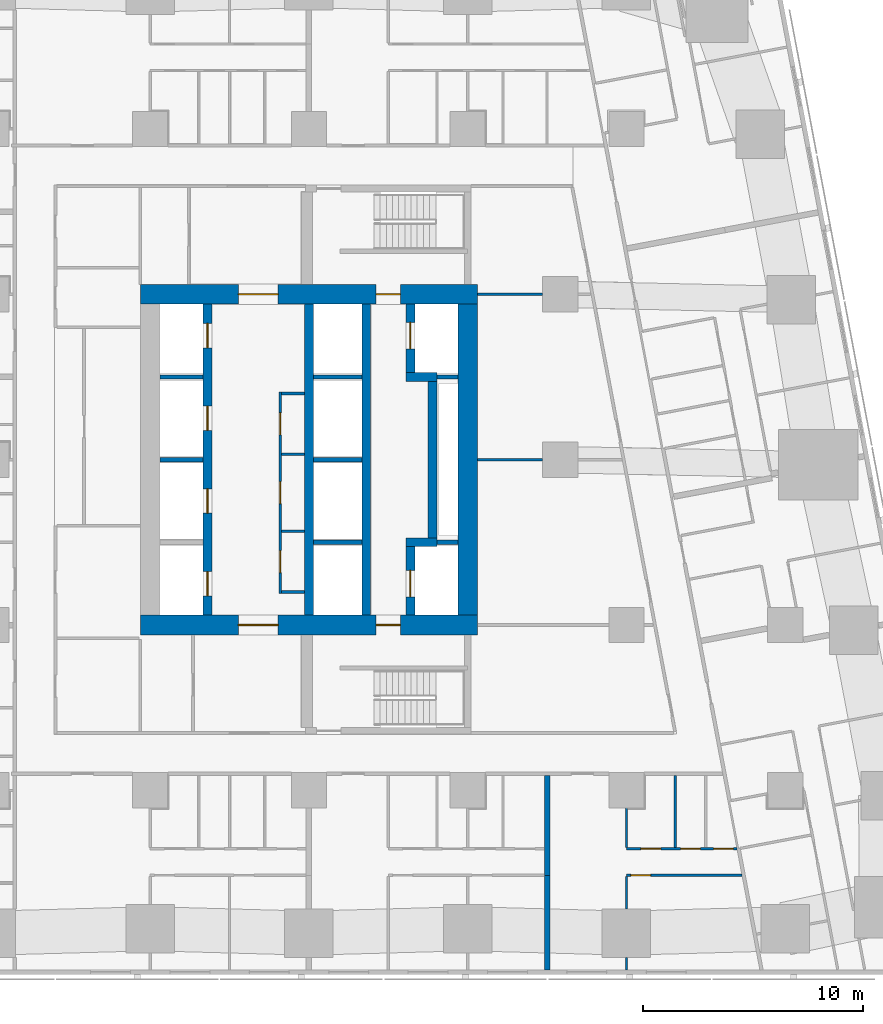
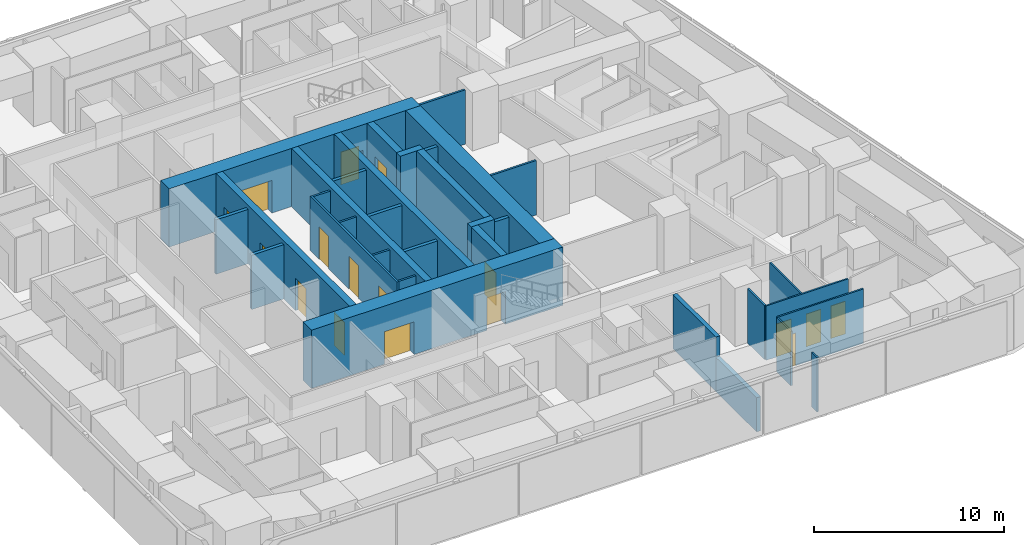
# One storey, part 5 of 15: 33 walls, 17 doors, 17 openings.
"""IFC4 building model written with IfcOpenShell, lengths in metres."""

from ifc_helpers import new_model, si_unit, direction, frame, frame_2d, origin, place, context, subcontext, project, spatial, rectangle, extrude, material, layer, layer_set, type_object, element, fill, save


model = new_model("IFC4")

# Units and contexts
model_context = context("Model", 3, precision=1e-05, world=origin(), true_north=direction((0.0, 1.0)))
body_context = subcontext(model_context, "Body", "Model", "MODEL_VIEW")
ifc_project = project(units=[si_unit("LENGTHUNIT", "METRE"), si_unit("AREAUNIT", "SQUARE_METRE"), si_unit("VOLUMEUNIT", "CUBIC_METRE"), si_unit("PLANEANGLEUNIT", "RADIAN"), si_unit("MASSUNIT", "GRAM", prefix="KILO")], contexts=[model_context])

# Site, building, storey
site_placement = place(None, origin())
site = spatial("IfcSite", under=ifc_project, at=site_placement, CompositionType="ELEMENT")
building_placement = place(site_placement, origin())
building = spatial("IfcBuilding", under=site, at=building_placement, Name="Sheger Commons Tower", CompositionType="ELEMENT")
storey_placement = place(building_placement, frame((0.0, 0.0, 107.89990234375)))
storey = spatial("IfcBuildingStorey", under=building, at=storey_placement, Name="L27", CompositionType="ELEMENT", Elevation=107.89990234375)

# Wall, openings, doors
ifc_material_1 = material(Name="Concrete C50/60", Category="concrete")
ifc_layer_1 = layer(ifc_material_1, 0.39990234375)
ifc_layer_set_1 = layer_set([ifc_layer_1], Name="CORE INNER WALL 400")
wall_type_1 = type_object("IfcWallType", Name="CORE INNER WALL 400", PredefinedType="SHEAR", material=ifc_layer_set_1)
wall_1_placement = place(storey_placement, frame((17.0, 15.449951171875, 0.0), z_axis=(0.0, 0.0, 1.0), x_axis=(0.0, 1.0, 0.0)))
wall_1 = element("IfcWall", 1, at=wall_1_placement, inside=storey, type_object=wall_type_1, Name="Core inner wall A L27", PredefinedType="SHEAR", context=body_context, shape_type="SweptSolid", body=[
    extrude(rectangle(XDim=14.10009765625, YDim=0.39990234375, at=frame_2d((7.050048828125, 0.0))), origin(), (0.0, 0.0, 1.0), 3.75),
])
opening_1_placement = place(wall_1_placement, frame((0.875, 0.0, 0.0)))
opening_1 = element("IfcOpeningElement", 2, at=opening_1_placement, cuts=wall_1, Name="Opening LD", PredefinedType="OPENING", context=body_context, shape_type="SweptSolid", body=[
    extrude(rectangle(XDim=1.10009765625, YDim=2.10009765625, at=frame_2d((0.550048828125, 1.050048828125))), frame((0.0, 0.2099609375, 0.0), z_axis=(0.0, -1.0, 0.0), x_axis=(1.0, 0.0, 0.0)), (0.0, 0.0, 1.0), 0.419921875),
])
opening_2_placement = place(wall_1_placement, frame((4.625, 0.0, 0.0)))
opening_2 = element("IfcOpeningElement", 3, at=opening_2_placement, cuts=wall_1, Name="Opening LD", PredefinedType="OPENING", context=body_context, shape_type="SweptSolid", body=[
    extrude(rectangle(XDim=1.10009765625, YDim=2.10009765625, at=frame_2d((0.550048828125, 1.050048828125))), frame((0.0, 0.2099609375, 0.0), z_axis=(0.0, -1.0, 0.0), x_axis=(1.0, 0.0, 0.0)), (0.0, 0.0, 1.0), 0.419921875),
])
opening_3_placement = place(wall_1_placement, frame((8.375, 0.0, 0.0)))
opening_3 = element("IfcOpeningElement", 4, at=opening_3_placement, cuts=wall_1, Name="Opening LD", PredefinedType="OPENING", context=body_context, shape_type="SweptSolid", body=[
    extrude(rectangle(XDim=1.10009765625, YDim=2.10009765625, at=frame_2d((0.550048828125, 1.050048828125))), frame((0.0, 0.2099609375, 0.0), z_axis=(0.0, -1.0, 0.0), x_axis=(1.0, 0.0, 0.0)), (0.0, 0.0, 1.0), 0.419921875),
])
opening_4_placement = place(wall_1_placement, frame((12.125, 0.0, 0.0)))
opening_4 = element("IfcOpeningElement", 5, at=opening_4_placement, cuts=wall_1, Name="Opening LD", PredefinedType="OPENING", context=body_context, shape_type="SweptSolid", body=[
    extrude(rectangle(XDim=1.10009765625, YDim=2.10009765625, at=frame_2d((0.550048828125, 1.050048828125))), frame((0.0, 0.2099609375, 0.0), z_axis=(0.0, -1.0, 0.0), x_axis=(1.0, 0.0, 0.0)), (0.0, 0.0, 1.0), 0.419921875),
])
ifc_material_2 = material(Name="Steel door set, fire rated", Category="steel")
door_type_1 = type_object("IfcDoorType", Name="LIFT LANDING DOOR 1100x2100", OperationType="DOUBLE_DOOR_SLIDING", PredefinedType="DOOR", material=ifc_material_2)
door_1_placement = place(opening_1_placement, origin())
door_1 = element("IfcDoor", 6, at=door_1_placement, inside=storey, type_object=door_type_1, Name="Lift LA1 landing door", OperationType="DOUBLE_DOOR_SLIDING", OverallHeight=2.10009765625, OverallWidth=1.10009765625, PredefinedType="DOOR", context=body_context, shape_type="SweptSolid", body=[
    extrude(rectangle(XDim=1.10009765625, YDim=2.10009765625, at=frame_2d((0.550048828125, 1.050048828125))), frame((0.0, 0.02490234375, 0.0), z_axis=(0.0, -1.0, 0.0), x_axis=(1.0, 0.0, 0.0)), (0.0, 0.0, 1.0), 0.050048828125),
])
fill(opening_1, door_1)
door_2_placement = place(opening_2_placement, origin())
door_2 = element("IfcDoor", 7, at=door_2_placement, inside=storey, type_object=door_type_1, Name="Lift LA2 landing door", OperationType="DOUBLE_DOOR_SLIDING", OverallHeight=2.10009765625, OverallWidth=1.10009765625, PredefinedType="DOOR", context=body_context, shape_type="SweptSolid", body=[
    extrude(rectangle(XDim=1.10009765625, YDim=2.10009765625, at=frame_2d((0.550048828125, 1.050048828125))), frame((0.0, 0.02490234375, 0.0), z_axis=(0.0, -1.0, 0.0), x_axis=(1.0, 0.0, 0.0)), (0.0, 0.0, 1.0), 0.050048828125),
])
fill(opening_2, door_2)
door_3_placement = place(opening_3_placement, origin())
door_3 = element("IfcDoor", 8, at=door_3_placement, inside=storey, type_object=door_type_1, Name="Lift LA3 landing door", OperationType="DOUBLE_DOOR_SLIDING", OverallHeight=2.10009765625, OverallWidth=1.10009765625, PredefinedType="DOOR", context=body_context, shape_type="SweptSolid", body=[
    extrude(rectangle(XDim=1.10009765625, YDim=2.10009765625, at=frame_2d((0.550048828125, 1.050048828125))), frame((0.0, 0.02490234375, 0.0), z_axis=(0.0, -1.0, 0.0), x_axis=(1.0, 0.0, 0.0)), (0.0, 0.0, 1.0), 0.050048828125),
])
fill(opening_3, door_3)
door_4_placement = place(opening_4_placement, origin())
door_4 = element("IfcDoor", 9, at=door_4_placement, inside=storey, type_object=door_type_1, Name="Lift LA4 landing door", OperationType="DOUBLE_DOOR_SLIDING", OverallHeight=2.10009765625, OverallWidth=1.10009765625, PredefinedType="DOOR", context=body_context, shape_type="SweptSolid", body=[
    extrude(rectangle(XDim=1.10009765625, YDim=2.10009765625, at=frame_2d((0.550048828125, 1.050048828125))), frame((0.0, 0.02490234375, 0.0), z_axis=(0.0, -1.0, 0.0), x_axis=(1.0, 0.0, 0.0)), (0.0, 0.0, 1.0), 0.050048828125),
])
fill(opening_4, door_4)

# Walls
for number, where, z_axis, x_axis, name in (
    (10, (21.60009765625, 15.449951171875, 0.0), (0.0, 0.0, 1.0), (0.0, 1.0, 0.0), "Core inner wall L L27"),
    (11, (24.199951171875, 15.449951171875, 0.0), (0.0, 0.0, 1.0), (0.0, 1.0, 0.0), "Core inner wall B L27"),
):
    element("IfcWall", number, at=place(storey_placement, frame(where, z_axis=z_axis, x_axis=x_axis)), inside=storey, type_object=wall_type_1, Name=name, PredefinedType="SHEAR", context=body_context, shape_type="SweptSolid", body=[
        extrude(rectangle(XDim=14.10009765625, YDim=0.39990234375, at=frame_2d((7.050048828125, 0.0))), origin(), (0.0, 0.0, 1.0), 3.75),
    ])

# Wall, opening, door
wall_2_placement = place(storey_placement, frame((26.199951171875, 15.449951171875, 0.0), z_axis=(0.0, 0.0, 1.0), x_axis=(0.0, 1.0, 0.0)))
wall_2 = element("IfcWall", 12, at=wall_2_placement, inside=storey, type_object=wall_type_1, Name="Core inner wall F L27", PredefinedType="SHEAR", context=body_context, shape_type="SweptSolid", body=[
    extrude(rectangle(XDim=3.10009765625, YDim=0.39990234375, at=frame_2d((1.550048828125, 0.0))), origin(), (0.0, 0.0, 1.0), 3.75),
])
opening_5_placement = place(wall_2_placement, frame((0.824951171875, 0.0, 0.0)))
opening_5 = element("IfcOpeningElement", 13, at=opening_5_placement, cuts=wall_2, Name="Opening LD2", PredefinedType="OPENING", context=body_context, shape_type="SweptSolid", body=[
    extrude(rectangle(XDim=1.199951171875, YDim=2.10009765625, at=frame_2d((0.60009765625, 1.050048828125))), frame((0.0, 0.2099609375, 0.0), z_axis=(0.0, -1.0, 0.0), x_axis=(1.0, 0.0, 0.0)), (0.0, 0.0, 1.0), 0.419921875),
])
ifc_material_3 = material(Name="Steel door set, fire rated", Category="steel")
door_type_2 = type_object("IfcDoorType", Name="FIREFIGHTING LIFT LANDING DOOR 1200x2100", OperationType="DOUBLE_DOOR_SLIDING", PredefinedType="DOOR", material=ifc_material_3)
door_5_placement = place(opening_5_placement, origin())
door_5 = element("IfcDoor", 14, at=door_5_placement, inside=storey, type_object=door_type_2, Name="Lift FL1 landing door", OperationType="DOUBLE_DOOR_SLIDING", OverallHeight=2.10009765625, OverallWidth=1.199951171875, PredefinedType="DOOR", context=body_context, shape_type="SweptSolid", body=[
    extrude(rectangle(XDim=1.199951171875, YDim=2.10009765625, at=frame_2d((0.60009765625, 1.050048828125))), frame((0.0, 0.02490234375, 0.0), z_axis=(0.0, -1.0, 0.0), x_axis=(1.0, 0.0, 0.0)), (0.0, 0.0, 1.0), 0.050048828125),
])
fill(opening_5, door_5)

# Walls
wall_3_placement = place(storey_placement, frame((26.0, 18.75, 0.0), z_axis=(0.0, 0.0, 1.0), x_axis=(1.0, 0.0, 0.0)))
element("IfcWall", 15, at=wall_3_placement, inside=storey, type_object=wall_type_1, Name="Core inner wall F south return L27", PredefinedType="SHEAR", context=body_context, shape_type="SweptSolid", body=[
    extrude(rectangle(XDim=1.39990234375, YDim=0.39990234375, at=frame_2d((0.699951171875, 0.0))), origin(), (0.0, 0.0, 1.0), 3.75),
])
wall_4_placement = place(storey_placement, frame((27.199951171875, 18.949951171875, 0.0), z_axis=(0.0, 0.0, 1.0), x_axis=(0.0, 1.0, 0.0)))
element("IfcWall", 16, at=wall_4_placement, inside=storey, type_object=wall_type_1, Name="Core inner wall F middle L27", PredefinedType="SHEAR", context=body_context, shape_type="SweptSolid", body=[
    extrude(rectangle(XDim=7.10009765625, YDim=0.39990234375, at=frame_2d((3.550048828125, 0.0))), origin(), (0.0, 0.0, 1.0), 3.75),
])
wall_5_placement = place(storey_placement, frame((26.0, 26.25, 0.0), z_axis=(0.0, 0.0, 1.0), x_axis=(1.0, 0.0, 0.0)))
element("IfcWall", 17, at=wall_5_placement, inside=storey, type_object=wall_type_1, Name="Core inner wall F north return L27", PredefinedType="SHEAR", context=body_context, shape_type="SweptSolid", body=[
    extrude(rectangle(XDim=1.39990234375, YDim=0.39990234375, at=frame_2d((0.699951171875, 0.0))), origin(), (0.0, 0.0, 1.0), 3.75),
])

# Wall, opening, door
wall_6_placement = place(storey_placement, frame((26.199951171875, 26.449951171875, 0.0), z_axis=(0.0, 0.0, 1.0), x_axis=(0.0, 1.0, 0.0)))
wall_6 = element("IfcWall", 18, at=wall_6_placement, inside=storey, type_object=wall_type_1, Name="Core inner wall F north L27", PredefinedType="SHEAR", context=body_context, shape_type="SweptSolid", body=[
    extrude(rectangle(XDim=3.10009765625, YDim=0.39990234375, at=frame_2d((1.550048828125, 0.0))), origin(), (0.0, 0.0, 1.0), 3.75),
])
opening_6_placement = place(wall_6_placement, frame((1.074951171875, 0.0, 0.0)))
opening_6 = element("IfcOpeningElement", 19, at=opening_6_placement, cuts=wall_6, Name="Opening LD2", PredefinedType="OPENING", context=body_context, shape_type="SweptSolid", body=[
    extrude(rectangle(XDim=1.199951171875, YDim=2.10009765625, at=frame_2d((0.60009765625, 1.050048828125))), frame((0.0, 0.2099609375, 0.0), z_axis=(0.0, -1.0, 0.0), x_axis=(1.0, 0.0, 0.0)), (0.0, 0.0, 1.0), 0.419921875),
])
door_6_placement = place(opening_6_placement, origin())
door_6 = element("IfcDoor", 20, at=door_6_placement, inside=storey, type_object=door_type_2, Name="Lift FL2 landing door", OperationType="DOUBLE_DOOR_SLIDING", OverallHeight=2.10009765625, OverallWidth=1.199951171875, PredefinedType="DOOR", context=body_context, shape_type="SweptSolid", body=[
    extrude(rectangle(XDim=1.199951171875, YDim=2.10009765625, at=frame_2d((0.60009765625, 1.050048828125))), frame((0.0, 0.02490234375, 0.0), z_axis=(0.0, -1.0, 0.0), x_axis=(1.0, 0.0, 0.0)), (0.0, 0.0, 1.0), 0.050048828125),
])
fill(opening_6, door_6)

# Wall, openings, doors
ifc_material_4 = material(Name="Concrete C50/60", Category="concrete")
ifc_layer_2 = layer(ifc_material_4, 0.89990234375)
ifc_layer_set_2 = layer_set([ifc_layer_2], Name="CORE WALL 900")
wall_type_2 = type_object("IfcWallType", Name="CORE WALL 900", PredefinedType="SHEAR", material=ifc_layer_set_2)
wall_7_placement = place(storey_placement, frame((13.949951171875, 15.0, 0.0), z_axis=(0.0, 0.0, 1.0), x_axis=(1.0, 0.0, 0.0)))
wall_7 = element("IfcWall", 21, at=wall_7_placement, inside=storey, type_object=wall_type_2, Name="Core wall south L27", PredefinedType="SHEAR", context=body_context, shape_type="SweptSolid", body=[
    extrude(rectangle(XDim=15.300048828125, YDim=0.89990234375, at=frame_2d((7.64990234375, 0.0))), origin(), (0.0, 0.0, 1.0), 3.75),
])
opening_7_placement = place(wall_7_placement, frame((4.449951171875, 0.0, 0.0)))
opening_7 = element("IfcOpeningElement", 22, at=opening_7_placement, cuts=wall_7, Name="Opening D6", PredefinedType="OPENING", context=body_context, shape_type="SweptSolid", body=[
    extrude(rectangle(XDim=1.800048828125, YDim=2.10009765625, at=frame_2d((0.89990234375, 1.050048828125))), frame((0.0, 0.4599609375, 0.0), z_axis=(0.0, -1.0, 0.0), x_axis=(1.0, 0.0, 0.0)), (0.0, 0.0, 1.0), 0.919921875),
])
opening_8_placement = place(wall_7_placement, frame((10.699951171875, 0.0, 0.0)))
opening_8 = element("IfcOpeningElement", 23, at=opening_8_placement, cuts=wall_7, Name="Opening D5", PredefinedType="OPENING", context=body_context, shape_type="SweptSolid", body=[
    extrude(rectangle(XDim=1.10009765625, YDim=2.10009765625, at=frame_2d((0.550048828125, 1.050048828125))), frame((0.0, 0.4599609375, 0.0), z_axis=(0.0, -1.0, 0.0), x_axis=(1.0, 0.0, 0.0)), (0.0, 0.0, 1.0), 0.919921875),
])
ifc_material_5 = material(Name="Steel door set, fire rated", Category="steel")
door_type_3 = type_object("IfcDoorType", Name="LOBBY DOUBLE DOOR 1800x2100", OperationType="DOUBLE_DOOR_SINGLE_SWING", PredefinedType="DOOR", material=ifc_material_5)
door_7_placement = place(opening_7_placement, origin())
door_7 = element("IfcDoor", 24, at=door_7_placement, inside=storey, type_object=door_type_3, Name="Lift lobby door", OperationType="DOUBLE_DOOR_SINGLE_SWING", OverallHeight=2.10009765625, OverallWidth=1.800048828125, PredefinedType="DOOR", context=body_context, shape_type="SweptSolid", body=[
    extrude(rectangle(XDim=1.800048828125, YDim=2.10009765625, at=frame_2d((0.89990234375, 1.050048828125))), frame((0.0, 0.02490234375, 0.0), z_axis=(0.0, -1.0, 0.0), x_axis=(1.0, 0.0, 0.0)), (0.0, 0.0, 1.0), 0.050048828125),
])
fill(opening_7, door_7)
ifc_material_6 = material(Name="Steel door set, fire rated", Category="steel")
door_type_4 = type_object("IfcDoorType", Name="STAIR DOOR 1100x2100", OperationType="NOTDEFINED", PredefinedType="DOOR", material=ifc_material_6)
door_8_placement = place(opening_8_placement, origin())
door_8 = element("IfcDoor", 25, at=door_8_placement, inside=storey, type_object=door_type_4, Name="Fire-fighting lobby door", OperationType="SINGLE_SWING_LEFT", OverallHeight=2.10009765625, OverallWidth=1.10009765625, PredefinedType="DOOR", context=body_context, shape_type="SweptSolid", body=[
    extrude(rectangle(XDim=1.10009765625, YDim=2.10009765625, at=frame_2d((0.550048828125, 1.050048828125))), frame((0.0, 0.02490234375, 0.0), z_axis=(0.0, -1.0, 0.0), x_axis=(1.0, 0.0, 0.0)), (0.0, 0.0, 1.0), 0.050048828125),
])
fill(opening_8, door_8)

wall_8_placement = place(storey_placement, frame((13.949951171875, 30.0, 0.0), z_axis=(0.0, 0.0, 1.0), x_axis=(1.0, 0.0, 0.0)))
wall_8 = element("IfcWall", 26, at=wall_8_placement, inside=storey, type_object=wall_type_2, Name="Core wall north L27", PredefinedType="SHEAR", context=body_context, shape_type="SweptSolid", body=[
    extrude(rectangle(XDim=15.300048828125, YDim=0.89990234375, at=frame_2d((7.64990234375, 0.0))), origin(), (0.0, 0.0, 1.0), 3.75),
])
opening_9_placement = place(wall_8_placement, frame((4.449951171875, 0.0, 0.0)))
opening_9 = element("IfcOpeningElement", 27, at=opening_9_placement, cuts=wall_8, Name="Opening D6", PredefinedType="OPENING", context=body_context, shape_type="SweptSolid", body=[
    extrude(rectangle(XDim=1.800048828125, YDim=2.10009765625, at=frame_2d((0.89990234375, 1.050048828125))), frame((0.0, 0.4599609375, 0.0), z_axis=(0.0, -1.0, 0.0), x_axis=(1.0, 0.0, 0.0)), (0.0, 0.0, 1.0), 0.919921875),
])
opening_10_placement = place(wall_8_placement, frame((10.699951171875, 0.0, 0.0)))
opening_10 = element("IfcOpeningElement", 28, at=opening_10_placement, cuts=wall_8, Name="Opening D5", PredefinedType="OPENING", context=body_context, shape_type="SweptSolid", body=[
    extrude(rectangle(XDim=1.10009765625, YDim=2.10009765625, at=frame_2d((0.550048828125, 1.050048828125))), frame((0.0, 0.4599609375, 0.0), z_axis=(0.0, -1.0, 0.0), x_axis=(1.0, 0.0, 0.0)), (0.0, 0.0, 1.0), 0.919921875),
])
door_9_placement = place(opening_9_placement, origin())
door_9 = element("IfcDoor", 29, at=door_9_placement, inside=storey, type_object=door_type_3, Name="Lift lobby door", OperationType="DOUBLE_DOOR_SINGLE_SWING", OverallHeight=2.10009765625, OverallWidth=1.800048828125, PredefinedType="DOOR", context=body_context, shape_type="SweptSolid", body=[
    extrude(rectangle(XDim=1.800048828125, YDim=2.10009765625, at=frame_2d((0.89990234375, 1.050048828125))), frame((0.0, 0.02490234375, 0.0), z_axis=(0.0, -1.0, 0.0), x_axis=(1.0, 0.0, 0.0)), (0.0, 0.0, 1.0), 0.050048828125),
])
fill(opening_9, door_9)
door_10_placement = place(opening_10_placement, origin())
door_10 = element("IfcDoor", 30, at=door_10_placement, inside=storey, type_object=door_type_4, Name="Fire-fighting lobby door", OperationType="SINGLE_SWING_LEFT", OverallHeight=2.10009765625, OverallWidth=1.10009765625, PredefinedType="DOOR", context=body_context, shape_type="SweptSolid", body=[
    extrude(rectangle(XDim=1.10009765625, YDim=2.10009765625, at=frame_2d((0.550048828125, 1.050048828125))), frame((0.0, 0.02490234375, 0.0), z_axis=(0.0, -1.0, 0.0), x_axis=(1.0, 0.0, 0.0)), (0.0, 0.0, 1.0), 0.050048828125),
])
fill(opening_10, door_10)

# Walls
wall_9_placement = place(storey_placement, frame((28.800048828125, 15.449951171875, 0.0), z_axis=(0.0, 0.0, 1.0), x_axis=(0.0, 1.0, 0.0)))
element("IfcWall", 31, at=wall_9_placement, inside=storey, type_object=wall_type_2, Name="Core wall east L27", PredefinedType="SHEAR", context=body_context, shape_type="SweptSolid", body=[
    extrude(rectangle(XDim=14.10009765625, YDim=0.89990234375, at=frame_2d((7.050048828125, 0.0))), origin(), (0.0, 0.0, 1.0), 3.75),
])
ifc_material_7 = material(Name="Dense concrete block masonry, plastered both sides (separating wall between flats)", Category="masonry")
ifc_layer_3 = layer(ifc_material_7, 0.25)
ifc_layer_set_3 = layer_set([ifc_layer_3], Name="DEMISING WALL 250")
wall_type_3 = type_object("IfcWallType", Name="DEMISING WALL 250", PredefinedType="SOLIDWALL", material=ifc_layer_set_3)
wall_10_placement = place(storey_placement, frame((32.39990234375, -0.64990234375, 0.0), z_axis=(0.0, 0.0, 1.0), x_axis=(0.0, 1.0, 0.0)))
element("IfcWall", 32, at=wall_10_placement, inside=storey, type_object=wall_type_3, Name="Demising wall L27", PredefinedType="SOLIDWALL", context=body_context, shape_type="SweptSolid", body=[
    extrude(rectangle(XDim=4.2998046875, YDim=0.25, at=frame_2d((2.14990234375, 0.0))), origin(), (0.0, 0.0, 1.0), 2.2001953125),
])
wall_11_placement = place(storey_placement, frame((32.39990234375, 3.64990234375, 0.0), z_axis=(0.0, 0.0, 1.0), x_axis=(0.0, 1.0, 0.0)))
element("IfcWall", 33, at=wall_11_placement, inside=storey, type_object=wall_type_3, Name="Demising wall L27", PredefinedType="SOLIDWALL", context=body_context, shape_type="SweptSolid", body=[
    extrude(rectangle(XDim=4.525146484375, YDim=0.25, at=frame_2d((2.2626953125, 0.0))), origin(), (0.0, 0.0, 1.0), 3.5),
])

# Wall, opening, door
ifc_material_8 = material(Name="Gypsum board on steel studs", Category="steel")
ifc_layer_4 = layer(ifc_material_8, 0.10009765625)
ifc_layer_set_4 = layer_set([ifc_layer_4], Name="PARTITION 100")
wall_type_4 = type_object("IfcWallType", Name="PARTITION 100", PredefinedType="PARTITIONING", material=ifc_layer_set_4)
wall_12_placement = place(storey_placement, frame((41.22900390625, 3.64990234375, 0.0), z_axis=(0.0, 0.0, 1.0), x_axis=(-1.0, 0.0, 0.0)))
wall_12 = element("IfcWall", 34, at=wall_12_placement, inside=storey, type_object=wall_type_4, Name="Partition L27", PredefinedType="PARTITIONING", context=body_context, shape_type="SweptSolid", body=[
    extrude(rectangle(XDim=5.22900390625, YDim=0.10009765625, at=frame_2d((2.614501953125, 0.0))), origin(), (0.0, 0.0, 1.0), 3.5),
])
opening_11_placement = place(wall_12_placement, frame((4.12890625, 0.0, 0.0)))
opening_11 = element("IfcOpeningElement", 35, at=opening_11_placement, cuts=wall_12, Name="Opening D2", PredefinedType="OPENING", context=body_context, shape_type="SweptSolid", body=[
    extrude(rectangle(XDim=0.89990234375, YDim=2.10009765625, at=frame_2d((0.449951171875, 1.050048828125))), frame((0.0, 0.06005859375, 0.0), z_axis=(0.0, -1.0, 0.0), x_axis=(1.0, 0.0, 0.0)), (0.0, 0.0, 1.0), 0.1201171875),
])
ifc_material_9 = material(Name="Timber door set", Category="wood")
door_type_5 = type_object("IfcDoorType", Name="INTERNAL DOOR 900x2100", OperationType="NOTDEFINED", PredefinedType="DOOR", material=ifc_material_9)
door_11_placement = place(opening_11_placement, origin())
door_11 = element("IfcDoor", 36, at=door_11_placement, inside=storey, type_object=door_type_5, Name="Main bedroom door", OperationType="SINGLE_SWING_LEFT", OverallHeight=2.10009765625, OverallWidth=0.89990234375, PredefinedType="DOOR", context=body_context, shape_type="SweptSolid", body=[
    extrude(rectangle(XDim=0.89990234375, YDim=2.10009765625, at=frame_2d((0.449951171875, 1.050048828125))), frame((0.0, 0.02490234375, 0.0), z_axis=(0.0, -1.0, 0.0), x_axis=(1.0, 0.0, 0.0)), (0.0, 0.0, 1.0), 0.050048828125),
])
fill(opening_11, door_11)

# Wall, openings, doors
wall_13_placement = place(storey_placement, frame((41.001953125, 4.85009765625, 0.0), z_axis=(0.0, 0.0, 1.0), x_axis=(-1.0, 0.0, 0.0)))
wall_13 = element("IfcWall", 37, at=wall_13_placement, inside=storey, type_object=wall_type_4, Name="Partition L27", PredefinedType="PARTITIONING", context=body_context, shape_type="SweptSolid", body=[
    extrude(rectangle(XDim=5.001953125, YDim=0.10009765625, at=frame_2d((2.5009765625, 0.0))), origin(), (0.0, 0.0, 1.0), 3.5),
])
opening_12_placement = place(wall_13_placement, frame((3.447021484375, 0.0, 0.0)))
opening_12 = element("IfcOpeningElement", 38, at=opening_12_placement, cuts=wall_13, Name="Opening D2", PredefinedType="OPENING", context=body_context, shape_type="SweptSolid", body=[
    extrude(rectangle(XDim=0.89990234375, YDim=2.10009765625, at=frame_2d((0.449951171875, 1.050048828125))), frame((0.0, 0.06005859375, 0.0), z_axis=(0.0, -1.0, 0.0), x_axis=(1.0, 0.0, 0.0)), (0.0, 0.0, 1.0), 0.1201171875),
])
opening_13_placement = place(wall_13_placement, frame((0.14990234375, 0.0, 0.0)))
opening_13 = element("IfcOpeningElement", 39, at=opening_13_placement, cuts=wall_13, Name="Opening D2", PredefinedType="OPENING", context=body_context, shape_type="SweptSolid", body=[
    extrude(rectangle(XDim=0.89990234375, YDim=2.10009765625, at=frame_2d((0.449951171875, 1.050048828125))), frame((0.0, 0.06005859375, 0.0), z_axis=(0.0, -1.0, 0.0), x_axis=(1.0, 0.0, 0.0)), (0.0, 0.0, 1.0), 0.1201171875),
])
opening_14_placement = place(wall_13_placement, frame((1.64697265625, 0.0, 0.0)))
opening_14 = element("IfcOpeningElement", 40, at=opening_14_placement, cuts=wall_13, Name="Opening D2", PredefinedType="OPENING", context=body_context, shape_type="SweptSolid", body=[
    extrude(rectangle(XDim=0.89990234375, YDim=2.10009765625, at=frame_2d((0.449951171875, 1.050048828125))), frame((0.0, 0.06005859375, 0.0), z_axis=(0.0, -1.0, 0.0), x_axis=(1.0, 0.0, 0.0)), (0.0, 0.0, 1.0), 0.1201171875),
])
door_12_placement = place(opening_12_placement, origin())
door_12 = element("IfcDoor", 41, at=door_12_placement, inside=storey, type_object=door_type_5, Name="Bathroom door", OperationType="SINGLE_SWING_LEFT", OverallHeight=2.10009765625, OverallWidth=0.89990234375, PredefinedType="DOOR", context=body_context, shape_type="SweptSolid", body=[
    extrude(rectangle(XDim=0.89990234375, YDim=2.10009765625, at=frame_2d((0.449951171875, 1.050048828125))), frame((0.0, 0.02490234375, 0.0), z_axis=(0.0, -1.0, 0.0), x_axis=(1.0, 0.0, 0.0)), (0.0, 0.0, 1.0), 0.050048828125),
])
fill(opening_12, door_12)
door_13_placement = place(opening_13_placement, origin())
door_13 = element("IfcDoor", 42, at=door_13_placement, inside=storey, type_object=door_type_5, Name="Laundry room door", OperationType="SINGLE_SWING_RIGHT", OverallHeight=2.10009765625, OverallWidth=0.89990234375, PredefinedType="DOOR", context=body_context, shape_type="SweptSolid", body=[
    extrude(rectangle(XDim=0.89990234375, YDim=2.10009765625, at=frame_2d((0.449951171875, 1.050048828125))), frame((0.0, 0.02490234375, 0.0), z_axis=(0.0, -1.0, 0.0), x_axis=(1.0, 0.0, 0.0)), (0.0, 0.0, 1.0), 0.050048828125),
])
fill(opening_13, door_13)
door_14_placement = place(opening_14_placement, origin())
door_14 = element("IfcDoor", 43, at=door_14_placement, inside=storey, type_object=door_type_5, Name="Store door", OperationType="SINGLE_SWING_RIGHT", OverallHeight=2.10009765625, OverallWidth=0.89990234375, PredefinedType="DOOR", context=body_context, shape_type="SweptSolid", body=[
    extrude(rectangle(XDim=0.89990234375, YDim=2.10009765625, at=frame_2d((0.449951171875, 1.050048828125))), frame((0.0, 0.02490234375, 0.0), z_axis=(0.0, -1.0, 0.0), x_axis=(1.0, 0.0, 0.0)), (0.0, 0.0, 1.0), 0.050048828125),
])
fill(opening_14, door_14)

# Walls
wall_14_placement = place(storey_placement, frame((36.0, -0.64990234375, 0.0), z_axis=(0.0, 0.0, 1.0), x_axis=(0.0, 1.0, 0.0)))
element("IfcWall", 44, at=wall_14_placement, inside=storey, type_object=wall_type_4, Name="Partition L27", PredefinedType="PARTITIONING", context=body_context, shape_type="SweptSolid", body=[
    extrude(rectangle(XDim=0.573974609375, YDim=0.10009765625, at=frame_2d((0.287109375, 0.0))), origin(), (0.0, 0.0, 1.0), 3.5),
])
wall_15_placement = place(storey_placement, frame((36.0, 2.1259765625, 0.0), z_axis=(0.0, 0.0, 1.0), x_axis=(0.0, 1.0, 0.0)))
element("IfcWall", 45, at=wall_15_placement, inside=storey, type_object=wall_type_4, Name="Partition L27", PredefinedType="PARTITIONING", context=body_context, shape_type="SweptSolid", body=[
    extrude(rectangle(XDim=1.47412109375, YDim=0.10009765625, at=frame_2d((0.737060546875, 0.0))), origin(), (0.0, 0.0, 1.0), 3.5),
])
wall_16_placement = place(storey_placement, frame((36.0, 4.89990234375, 0.0), z_axis=(0.0, 0.0, 1.0), x_axis=(0.0, 1.0, 0.0)))
element("IfcWall", 46, at=wall_16_placement, inside=storey, type_object=wall_type_4, Name="Partition L27", PredefinedType="PARTITIONING", context=body_context, shape_type="SweptSolid", body=[
    extrude(rectangle(XDim=1.799072265625, YDim=0.10009765625, at=frame_2d((0.8994140625, 0.0))), origin(), (0.0, 0.0, 1.0), 3.5),
])
wall_17_placement = place(storey_placement, frame((38.2099609375, 4.89990234375, 0.0), z_axis=(0.0, 0.0, 1.0), x_axis=(0.0, 1.0, 0.0)))
element("IfcWall", 47, at=wall_17_placement, inside=storey, type_object=wall_type_4, Name="Partition L27", PredefinedType="PARTITIONING", context=body_context, shape_type="SweptSolid", body=[
    extrude(rectangle(XDim=3.275146484375, YDim=0.10009765625, at=frame_2d((1.6376953125, 0.0))), origin(), (0.0, 0.0, 1.0), 3.5),
])
ifc_material_10 = material(Name="Gypsum board on steel studs, two layers each side, fire rated", Category="steel")
ifc_layer_5 = layer(ifc_material_10, 0.125)
ifc_layer_set_5 = layer_set([ifc_layer_5], Name="SERVICE WALL 125")
wall_type_5 = type_object("IfcWallType", Name="SERVICE WALL 125", PredefinedType="PARTITIONING", material=ifc_layer_set_5)
for number, where, z_axis, x_axis, name in (
    (48, (29.25, 22.5, 0.0), (0.0, 0.0, 1.0), (1.0, 0.0, 0.0), "Service room wall L27"),
    (49, (29.25, 30.0, 0.0), (0.0, 0.0, 1.0), (1.0, 0.0, 0.0), "Service room wall L27"),
):
    element("IfcWall", number, at=place(storey_placement, frame(where, z_axis=z_axis, x_axis=x_axis)), inside=storey, type_object=wall_type_5, Name=name, PredefinedType="PARTITIONING", context=body_context, shape_type="SweptSolid", body=[
        extrude(rectangle(XDim=2.948974609375, YDim=0.125, at=frame_2d((1.474609375, 0.0))), origin(), (0.0, 0.0, 1.0), 3.5),
    ])

# Wall, openings, doors
wall_18_placement = place(storey_placement, frame((20.300048828125, 16.43798828125, 0.0), z_axis=(0.0, 0.0, 1.0), x_axis=(0.0, 1.0, 0.0)))
wall_18 = element("IfcWall", 50, at=wall_18_placement, inside=storey, type_object=wall_type_5, Name="Service room wall L27", PredefinedType="PARTITIONING", context=body_context, shape_type="SweptSolid", body=[
    extrude(rectangle(XDim=9.1240234375, YDim=0.125, at=frame_2d((4.56201171875, 0.0))), origin(), (0.0, 0.0, 1.0), 3.5),
])
opening_15_placement = place(wall_18_placement, frame((0.93701171875, 0.0, 0.0)))
opening_15 = element("IfcOpeningElement", 51, at=opening_15_placement, cuts=wall_18, Name="Opening D4", PredefinedType="OPENING", context=body_context, shape_type="SweptSolid", body=[
    extrude(rectangle(XDim=1.0, YDim=2.10009765625, at=frame_2d((0.5, 1.050048828125))), frame((0.0, 0.072509765625, 0.0), z_axis=(0.0, -1.0, 0.0), x_axis=(1.0, 0.0, 0.0)), (0.0, 0.0, 1.0), 0.14501953125),
])
opening_16_placement = place(wall_18_placement, frame((4.06201171875, 0.0, 0.0)))
opening_16 = element("IfcOpeningElement", 52, at=opening_16_placement, cuts=wall_18, Name="Opening D4", PredefinedType="OPENING", context=body_context, shape_type="SweptSolid", body=[
    extrude(rectangle(XDim=1.0, YDim=2.10009765625, at=frame_2d((0.5, 1.050048828125))), frame((0.0, 0.072509765625, 0.0), z_axis=(0.0, -1.0, 0.0), x_axis=(1.0, 0.0, 0.0)), (0.0, 0.0, 1.0), 0.14501953125),
])
opening_17_placement = place(wall_18_placement, frame((7.18701171875, 0.0, 0.0)))
opening_17 = element("IfcOpeningElement", 53, at=opening_17_placement, cuts=wall_18, Name="Opening D4", PredefinedType="OPENING", context=body_context, shape_type="SweptSolid", body=[
    extrude(rectangle(XDim=1.0, YDim=2.10009765625, at=frame_2d((0.5, 1.050048828125))), frame((0.0, 0.072509765625, 0.0), z_axis=(0.0, -1.0, 0.0), x_axis=(1.0, 0.0, 0.0)), (0.0, 0.0, 1.0), 0.14501953125),
])
ifc_material_11 = material(Name="Steel door set, fire rated", Category="steel")
door_type_6 = type_object("IfcDoorType", Name="SERVICE DOOR 1000x2100", OperationType="NOTDEFINED", PredefinedType="DOOR", material=ifc_material_11)
door_15_placement = place(opening_15_placement, origin())
door_15 = element("IfcDoor", 54, at=door_15_placement, inside=storey, type_object=door_type_6, Name="Electrical cupboard door", OperationType="SINGLE_SWING_RIGHT", OverallHeight=2.10009765625, OverallWidth=1.0, PredefinedType="DOOR", context=body_context, shape_type="SweptSolid", body=[
    extrude(rectangle(XDim=1.0, YDim=2.10009765625, at=frame_2d((0.5, 1.050048828125))), frame((0.0, 0.02490234375, 0.0), z_axis=(0.0, -1.0, 0.0), x_axis=(1.0, 0.0, 0.0)), (0.0, 0.0, 1.0), 0.050048828125),
])
fill(opening_15, door_15)
door_16_placement = place(opening_16_placement, origin())
door_16 = element("IfcDoor", 55, at=door_16_placement, inside=storey, type_object=door_type_6, Name="Cleaner's cupboard door", OperationType="SINGLE_SWING_RIGHT", OverallHeight=2.10009765625, OverallWidth=1.0, PredefinedType="DOOR", context=body_context, shape_type="SweptSolid", body=[
    extrude(rectangle(XDim=1.0, YDim=2.10009765625, at=frame_2d((0.5, 1.050048828125))), frame((0.0, 0.02490234375, 0.0), z_axis=(0.0, -1.0, 0.0), x_axis=(1.0, 0.0, 0.0)), (0.0, 0.0, 1.0), 0.050048828125),
])
fill(opening_16, door_16)
door_17_placement = place(opening_17_placement, origin())
door_17 = element("IfcDoor", 56, at=door_17_placement, inside=storey, type_object=door_type_6, Name="Communications cupboard door", OperationType="SINGLE_SWING_LEFT", OverallHeight=2.10009765625, OverallWidth=1.0, PredefinedType="DOOR", context=body_context, shape_type="SweptSolid", body=[
    extrude(rectangle(XDim=1.0, YDim=2.10009765625, at=frame_2d((0.5, 1.050048828125))), frame((0.0, 0.02490234375, 0.0), z_axis=(0.0, -1.0, 0.0), x_axis=(1.0, 0.0, 0.0)), (0.0, 0.0, 1.0), 0.050048828125),
])
fill(opening_17, door_17)

# Walls
for number, where, z_axis, x_axis, name in (
    (57, (20.363037109375, 16.5, 0.0), (0.0, 0.0, 1.0), (1.0, 0.0, 0.0), "Service room wall L27"),
    (58, (20.363037109375, 25.5, 0.0), (0.0, 0.0, 1.0), (1.0, 0.0, 0.0), "Service room wall L27"),
    (59, (20.363037109375, 19.25, 0.0), (0.0, 0.0, 1.0), (1.0, 0.0, 0.0), "Service room wall L27"),
    (60, (20.363037109375, 22.75, 0.0), (0.0, 0.0, 1.0), (1.0, 0.0, 0.0), "Service room wall L27"),
):
    element("IfcWall", number, at=place(storey_placement, frame(where, z_axis=z_axis, x_axis=x_axis)), inside=storey, type_object=wall_type_5, Name=name, PredefinedType="PARTITIONING", context=body_context, shape_type="SweptSolid", body=[
        extrude(rectangle(XDim=1.036865234375, YDim=0.125, at=frame_2d((0.5185546875, 0.0))), origin(), (0.0, 0.0, 1.0), 3.5),
    ])
ifc_material_12 = material(Name="Hollow concrete block masonry", Category="masonry")
ifc_layer_6 = layer(ifc_material_12, 0.199951171875)
ifc_layer_set_6 = layer_set([ifc_layer_6], Name="SHAFT WALL 200")
wall_type_6 = type_object("IfcWallType", Name="SHAFT WALL 200", PredefinedType="SOLIDWALL", material=ifc_layer_set_6)
wall_19_placement = place(storey_placement, frame((21.800048828125, 18.75, 0.0), z_axis=(0.0, 0.0, 1.0), x_axis=(1.0, 0.0, 0.0)))
element("IfcWall", 61, at=wall_19_placement, inside=storey, type_object=wall_type_6, Name="Lift shaft wall L27", PredefinedType="SOLIDWALL", context=body_context, shape_type="SweptSolid", body=[
    extrude(rectangle(XDim=2.199951171875, YDim=0.199951171875, at=frame_2d((1.10009765625, 0.0))), origin(), (0.0, 0.0, 1.0), 3.5),
])
wall_20_placement = place(storey_placement, frame((14.85009765625, 22.5, 0.0), z_axis=(0.0, 0.0, 1.0), x_axis=(1.0, 0.0, 0.0)))
element("IfcWall", 62, at=wall_20_placement, inside=storey, type_object=wall_type_6, Name="Lift shaft wall L27", PredefinedType="SOLIDWALL", context=body_context, shape_type="SweptSolid", body=[
    extrude(rectangle(XDim=1.949951171875, YDim=0.199951171875, at=frame_2d((0.97509765625, 0.0))), origin(), (0.0, 0.0, 1.0), 3.5),
])
wall_21_placement = place(storey_placement, frame((21.800048828125, 22.5, 0.0), z_axis=(0.0, 0.0, 1.0), x_axis=(1.0, 0.0, 0.0)))
element("IfcWall", 63, at=wall_21_placement, inside=storey, type_object=wall_type_6, Name="Lift shaft wall L27", PredefinedType="SOLIDWALL", context=body_context, shape_type="SweptSolid", body=[
    extrude(rectangle(XDim=2.199951171875, YDim=0.199951171875, at=frame_2d((1.10009765625, 0.0))), origin(), (0.0, 0.0, 1.0), 3.5),
])
wall_22_placement = place(storey_placement, frame((14.85009765625, 26.25, 0.0), z_axis=(0.0, 0.0, 1.0), x_axis=(1.0, 0.0, 0.0)))
element("IfcWall", 64, at=wall_22_placement, inside=storey, type_object=wall_type_6, Name="Lift shaft wall L27", PredefinedType="SOLIDWALL", context=body_context, shape_type="SweptSolid", body=[
    extrude(rectangle(XDim=1.949951171875, YDim=0.199951171875, at=frame_2d((0.97509765625, 0.0))), origin(), (0.0, 0.0, 1.0), 3.5),
])
wall_23_placement = place(storey_placement, frame((21.800048828125, 26.25, 0.0), z_axis=(0.0, 0.0, 1.0), x_axis=(1.0, 0.0, 0.0)))
element("IfcWall", 65, at=wall_23_placement, inside=storey, type_object=wall_type_6, Name="Lift shaft wall L27", PredefinedType="SOLIDWALL", context=body_context, shape_type="SweptSolid", body=[
    extrude(rectangle(XDim=2.199951171875, YDim=0.199951171875, at=frame_2d((1.10009765625, 0.0))), origin(), (0.0, 0.0, 1.0), 3.5),
])
for number, where, z_axis, x_axis, name in (
    (66, (27.39990234375, 18.75, 0.0), (0.0, 0.0, 1.0), (1.0, 0.0, 0.0), "Lift shaft wall L27"),
    (67, (27.39990234375, 26.25, 0.0), (0.0, 0.0, 1.0), (1.0, 0.0, 0.0), "Lift shaft wall L27"),
):
    element("IfcWall", number, at=place(storey_placement, frame(where, z_axis=z_axis, x_axis=x_axis)), inside=storey, type_object=wall_type_6, Name=name, PredefinedType="SOLIDWALL", context=body_context, shape_type="SweptSolid", body=[
        extrude(rectangle(XDim=0.9501953125, YDim=0.199951171875, at=frame_2d((0.47509765625, 0.0))), origin(), (0.0, 0.0, 1.0), 3.5),
    ])

save(model, "model.ifc")
